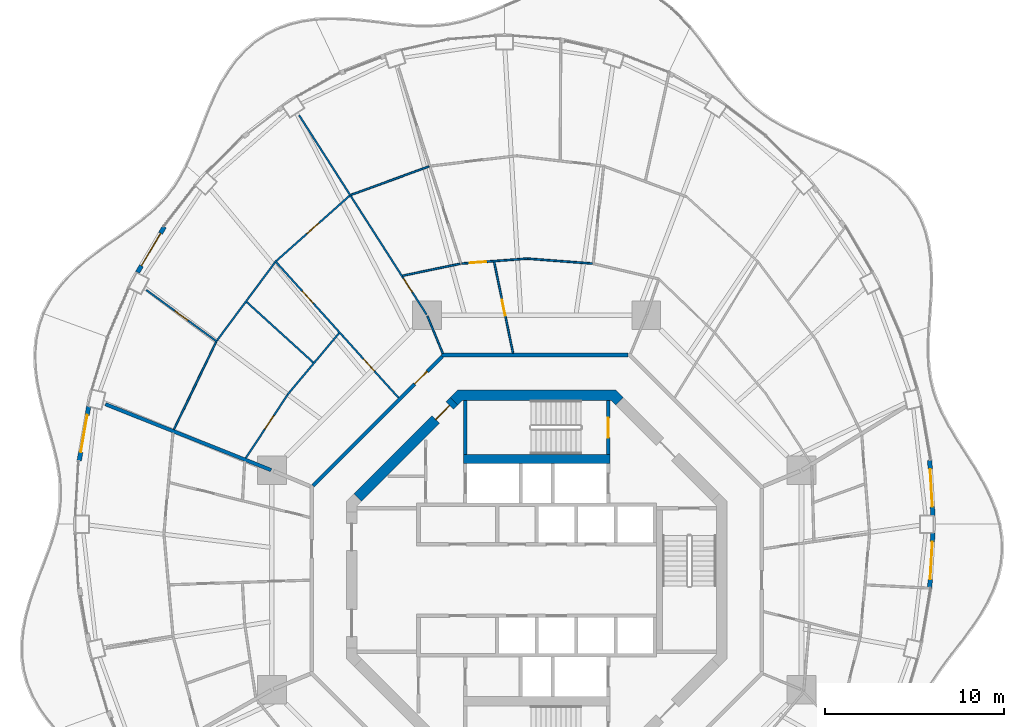
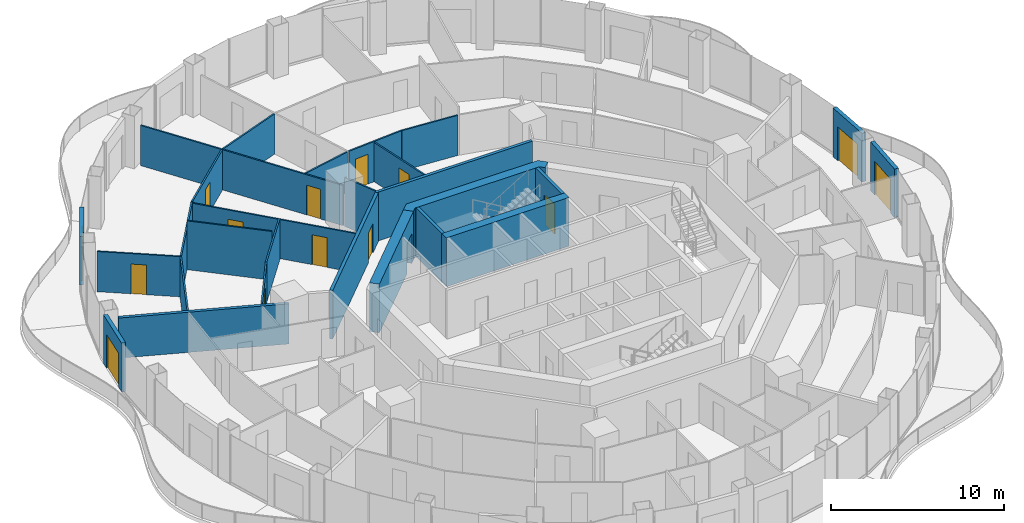
# One storey, part 13 of 18: 27 walls, 15 doors, 15 openings.
"""IFC4 building model written with IfcOpenShell, lengths in metres."""

from ifc_helpers import new_model, si_unit, direction, frame, frame_2d, origin, place, context, subcontext, project, spatial, polyline, rectangle, outline, extrude, material, layer, layer_set, type_object, element, fill, save


model = new_model("IFC4")

# Units and contexts
model_context = context("Model", 3, precision=1e-05, world=origin(), true_north=direction((0.0, 1.0)))
body_context = subcontext(model_context, "Body", "Model", "MODEL_VIEW")
ifc_project = project(units=[si_unit("LENGTHUNIT", "METRE"), si_unit("AREAUNIT", "SQUARE_METRE"), si_unit("VOLUMEUNIT", "CUBIC_METRE"), si_unit("PLANEANGLEUNIT", "RADIAN"), si_unit("MASSUNIT", "GRAM", prefix="KILO")], contexts=[model_context])

# Site, building, storey
site_placement = place(None, origin())
site = spatial("IfcSite", under=ifc_project, at=site_placement, CompositionType="ELEMENT")
building_placement = place(site_placement, origin())
building = spatial("IfcBuilding", under=site, at=building_placement, Name="Nagisa Residences", CompositionType="ELEMENT")
storey_placement = place(building_placement, frame((0.0, 0.0, 219.60009765625)))
storey = spatial("IfcBuildingStorey", under=building, at=storey_placement, Name="L55", CompositionType="ELEMENT", Elevation=219.60009765625)

# Walls
ifc_material_1 = material(Name="Gypsum board on steel studs", Category="steel")
ifc_layer_1 = layer(ifc_material_1, 0.199951171875)
ifc_layer_set_1 = layer_set([ifc_layer_1], Name="Apartment compartment wall EI60 200")
wall_type_1 = type_object("IfcWallType", Name="Apartment compartment wall EI60 200", PredefinedType="PARTITIONING", material=ifc_layer_set_1)
wall_1_placement = place(storey_placement, frame((-14.82861328125, 6.141357421875, 0.0), z_axis=(0.0, 0.0, 1.0), x_axis=(-0.929202069098, 0.36957206981, 0.0)))
element("IfcWall", 1, at=wall_1_placement, inside=storey, type_object=wall_type_1, Name="wall:L55:u03", PredefinedType="PARTITIONING", context=body_context, shape_type="SweptSolid", body=[
    extrude(rectangle(XDim=9.95654296875, YDim=0.199951171875, at=frame_2d((4.978271484375, 0.0))), origin(), (0.0, 0.0, 1.0), 2.8369140625),
])
ifc_material_2 = material(Name="Gypsum board on steel studs", Category="steel")
ifc_layer_2 = layer(ifc_material_2, 0.199951171875)
ifc_layer_set_2 = layer_set([ifc_layer_2], Name="Apartment entry wall EI60 200")
wall_type_2 = type_object("IfcWallType", Name="Apartment entry wall EI60 200", PredefinedType="PARTITIONING", material=ifc_layer_set_2)
wall_2_placement = place(storey_placement, frame((5.1044921875, 12.564697265625, 0.0), z_axis=(0.0, 0.0, 1.0), x_axis=(-1.0, 0.0, 0.0)))
element("IfcWall", 2, at=wall_2_placement, inside=storey, type_object=wall_type_2, Name="wall:L55:u10", PredefinedType="PARTITIONING", context=body_context, shape_type="SweptSolid", body=[
    extrude(rectangle(XDim=10.408935546875, YDim=0.199951171875, at=frame_2d((5.20458984375, 0.0))), origin(), (0.0, 0.0, 1.0), 3.43994140625),
])

# Wall, opening, door
wall_3_placement = place(storey_placement, frame((-5.275146484375, 12.494140625, 0.0), z_axis=(0.0, 0.0, 1.0), x_axis=(-0.707106781187, -0.707106781187, 0.0)))
wall_3 = element("IfcWall", 3, at=wall_3_placement, inside=storey, type_object=wall_type_2, Name="wall:L55:u11", PredefinedType="PARTITIONING", context=body_context, shape_type="SweptSolid", body=[
    extrude(rectangle(XDim=10.209228515625, YDim=0.199951171875, at=frame_2d((5.1044921875, 0.0))), origin(), (0.0, 0.0, 1.0), 3.43994140625),
])
opening_1_placement = place(wall_3_placement, frame((1.184814453125, 0.0, 0.0)))
opening_1 = element("IfcOpeningElement", 4, at=opening_1_placement, cuts=wall_3, Name="Opening L55-U01", PredefinedType="OPENING", context=body_context, shape_type="SweptSolid", body=[
    extrude(rectangle(XDim=1.0, YDim=2.10009765625, at=frame_2d((0.5, 1.050048828125))), frame((0.0, 0.10986328125, 0.0), z_axis=(0.0, -1.0, 0.0), x_axis=(1.0, 0.0, 0.0)), (0.0, 0.0, 1.0), 0.219970703125),
])
ifc_material_3 = material(Name="Timber fire door set", Category="wood")
door_type_1 = type_object("IfcDoorType", Name="Apartment entry door FD30S 1000x2100", OperationType="NOTDEFINED", PredefinedType="DOOR", material=ifc_material_3)
door_1_placement = place(opening_1_placement, frame((1.0, 0.0, 0.0), x_axis=(-1.0, 0.0, 0.0)))
door_1 = element("IfcDoor", 5, at=door_1_placement, inside=storey, type_object=door_type_1, Name="Entry door, Apartment 55A", OperationType="SINGLE_SWING_RIGHT", OverallHeight=2.10009765625, OverallWidth=1.0, PredefinedType="DOOR", context=body_context, shape_type="SweptSolid", body=[
    extrude(rectangle(XDim=1.0, YDim=2.10009765625, at=frame_2d((0.5, 1.050048828125))), frame((0.0, 0.02490234375, 0.0), z_axis=(0.0, -1.0, 0.0), x_axis=(1.0, 0.0, 0.0)), (0.0, 0.0, 1.0), 0.050048828125),
])
fill(opening_1, door_1)

# Wall
ifc_material_4 = material(Name="Gypsum board on steel studs", Category="steel")
ifc_layer_3 = layer(ifc_material_4, 0.10009765625)
ifc_layer_set_3 = layer_set([ifc_layer_3], Name="Apartment partition 100")
wall_type_3 = type_object("IfcWallType", Name="Apartment partition 100", PredefinedType="PARTITIONING", material=ifc_layer_set_3)
wall_4_placement = place(storey_placement, frame((3.1005859375, 17.67138671875, 0.0), z_axis=(0.0, 0.0, 1.0), x_axis=(-0.997133705575, 0.075659587668, 0.0)))
element("IfcWall", 6, at=wall_4_placement, inside=storey, type_object=wall_type_3, Name="wall:L55:u35", PredefinedType="PARTITIONING", context=body_context, shape_type="SweptSolid", body=[
    extrude(rectangle(XDim=3.60107421875, YDim=0.10009765625, at=frame_2d((1.800537109375, 0.0))), origin(), (0.0, 0.0, 1.0), 2.8369140625),
])

# Wall, opening, door
wall_5_placement = place(storey_placement, frame((-0.490234375, 17.951416015625, 0.0), z_axis=(0.0, 0.0, 1.0), x_axis=(-0.997133495787, -0.075662352452, 0.0)))
wall_5 = element("IfcWall", 7, at=wall_5_placement, inside=storey, type_object=wall_type_3, Name="wall:L55:u38", PredefinedType="PARTITIONING", context=body_context, shape_type="SweptSolid", body=[
    extrude(rectangle(XDim=3.700927734375, YDim=0.10009765625, at=frame_2d((1.8505859375, 0.0))), origin(), (0.0, 0.0, 1.0), 2.8369140625),
])
opening_2_placement = place(wall_5_placement, frame((2.350830078125, 0.0, 0.0)))
opening_2 = element("IfcOpeningElement", 8, at=opening_2_placement, cuts=wall_5, Name="Opening L55-U04", PredefinedType="OPENING", context=body_context, shape_type="SweptSolid", body=[
    extrude(rectangle(XDim=0.89990234375, YDim=2.10009765625, at=frame_2d((0.449951171875, 1.050048828125))), frame((0.0, 0.06005859375, 0.0), z_axis=(0.0, -1.0, 0.0), x_axis=(1.0, 0.0, 0.0)), (0.0, 0.0, 1.0), 0.1201171875),
])
ifc_material_5 = material(Name="Timber door set", Category="wood")
door_type_2 = type_object("IfcDoorType", Name="Apartment door 900x2100", OperationType="NOTDEFINED", PredefinedType="DOOR", material=ifc_material_5)
door_2_placement = place(opening_2_placement, frame((0.89990234375, 0.0, 0.0), x_axis=(-1.0, 0.0, 0.0)))
door_2 = element("IfcDoor", 9, at=door_2_placement, inside=storey, type_object=door_type_2, Name="Door to family room, Apartment 55A", OperationType="SINGLE_SWING_LEFT", OverallHeight=2.10009765625, OverallWidth=0.89990234375, PredefinedType="DOOR", context=body_context, shape_type="SweptSolid", body=[
    extrude(rectangle(XDim=0.89990234375, YDim=2.10009765625, at=frame_2d((0.449951171875, 1.050048828125))), frame((0.0, 0.02490234375, 0.0), z_axis=(0.0, -1.0, 0.0), x_axis=(1.0, 0.0, 0.0)), (0.0, 0.0, 1.0), 0.050048828125),
])
fill(opening_2, door_2)

wall_6_placement = place(storey_placement, frame((-1.3212890625, 12.66259765625, 0.0), z_axis=(0.0, 0.0, 1.0), x_axis=(-0.202526486639, 0.979276785291, 0.0)))
wall_6 = element("IfcWall", 10, at=wall_6_placement, inside=storey, type_object=wall_type_3, Name="wall:L55:u40", PredefinedType="PARTITIONING", context=body_context, shape_type="SweptSolid", body=[
    extrude(rectangle(XDim=5.2041015625, YDim=0.10009765625, at=frame_2d((2.60205078125, 0.0))), origin(), (0.0, 0.0, 1.0), 2.761962890625),
])
opening_3_placement = place(wall_6_placement, frame((2.15185546875, 0.0, 0.0)))
opening_3 = element("IfcOpeningElement", 11, at=opening_3_placement, cuts=wall_6, Name="Opening L55-U13", PredefinedType="OPENING", context=body_context, shape_type="SweptSolid", body=[
    extrude(rectangle(XDim=0.89990234375, YDim=2.10009765625, at=frame_2d((0.449951171875, 1.050048828125))), frame((0.0, 0.06005859375, 0.0), z_axis=(0.0, -1.0, 0.0), x_axis=(1.0, 0.0, 0.0)), (0.0, 0.0, 1.0), 0.1201171875),
])
door_3_placement = place(opening_3_placement, frame((0.89990234375, 0.0, 0.0), x_axis=(-1.0, 0.0, 0.0)))
door_3 = element("IfcDoor", 12, at=door_3_placement, inside=storey, type_object=door_type_2, Name="Door to store, Apartment 55A", OperationType="SINGLE_SWING_RIGHT", OverallHeight=2.10009765625, OverallWidth=0.89990234375, PredefinedType="DOOR", context=body_context, shape_type="SweptSolid", body=[
    extrude(rectangle(XDim=0.89990234375, YDim=2.10009765625, at=frame_2d((0.449951171875, 1.050048828125))), frame((0.0, 0.02490234375, 0.0), z_axis=(0.0, -1.0, 0.0), x_axis=(1.0, 0.0, 0.0)), (0.0, 0.0, 1.0), 0.050048828125),
])
fill(opening_3, door_3)

# Walls
wall_7_placement = place(storey_placement, frame((-4.279541015625, 17.657470703125, 0.0), z_axis=(0.0, 0.0, 1.0), x_axis=(-0.979205232861, -0.202872156637, 0.0)))
element("IfcWall", 13, at=wall_7_placement, inside=storey, type_object=wall_type_3, Name="wall:L55:u42", PredefinedType="PARTITIONING", context=body_context, shape_type="SweptSolid", body=[
    extrude(rectangle(XDim=3.27099609375, YDim=0.10009765625, at=frame_2d((1.635498046875, 0.0))), origin(), (0.0, 0.0, 1.0), 2.8369140625),
])
wall_8_placement = place(storey_placement, frame((-6.01416015625, 23.093505859375, 0.0), z_axis=(0.0, 0.0, 1.0), x_axis=(-0.939417400947, -0.342775359089, 0.0)))
element("IfcWall", 14, at=wall_8_placement, inside=storey, type_object=wall_type_3, Name="wall:L55:u43", PredefinedType="PARTITIONING", context=body_context, shape_type="SweptSolid", body=[
    extrude(rectangle(XDim=4.632568359375, YDim=0.10009765625, at=frame_2d((2.31640625, 0.0))), origin(), (0.0, 0.0, 1.0), 2.8369140625),
])
wall_9_placement = place(storey_placement, frame((-5.24267578125, 12.6572265625, 0.0), z_axis=(0.0, 0.0, 1.0), x_axis=(-0.382757529444, 0.923848837015, 0.0)))
element("IfcWall", 15, at=wall_9_placement, inside=storey, type_object=wall_type_3, Name="wall:L55:u44", PredefinedType="PARTITIONING", context=body_context, shape_type="SweptSolid", body=[
    extrude(rectangle(XDim=2.249755859375, YDim=0.10009765625, at=frame_2d((1.125, 0.0))), origin(), (0.0, 0.0, 1.0), 3.43994140625),
])

# Wall, opening, door
wall_10_placement = place(storey_placement, frame((-6.14990234375, 14.82421875, 0.0), z_axis=(0.0, 0.0, 1.0), x_axis=(-0.538870687577, 0.842388498301, 0.0)))
wall_10 = element("IfcWall", 16, at=wall_10_placement, inside=storey, type_object=wall_type_3, Name="wall:L55:u45", PredefinedType="PARTITIONING", context=body_context, shape_type="SweptSolid", body=[
    extrude(rectangle(XDim=13.212646484375, YDim=0.10009765625, at=frame_2d((6.6064453125, 0.0))), origin(), (0.0, 0.0, 1.0), 2.8369140625),
])
opening_4_placement = place(wall_10_placement, frame((1.4833984375, 0.0, 0.0)))
opening_4 = element("IfcOpeningElement", 17, at=opening_4_placement, cuts=wall_10, Name="Opening L55-U02", PredefinedType="OPENING", context=body_context, shape_type="SweptSolid", body=[
    extrude(rectangle(XDim=0.89990234375, YDim=2.10009765625, at=frame_2d((0.449951171875, 1.050048828125))), frame((0.0, 0.06005859375, 0.0), z_axis=(0.0, -1.0, 0.0), x_axis=(1.0, 0.0, 0.0)), (0.0, 0.0, 1.0), 0.1201171875),
])
door_4_placement = place(opening_4_placement, frame((0.89990234375, 0.0, 0.0), x_axis=(-1.0, 0.0, 0.0)))
door_4 = element("IfcDoor", 18, at=door_4_placement, inside=storey, type_object=door_type_2, Name="Door to laundry, Apartment 55A", OperationType="SINGLE_SWING_LEFT", OverallHeight=2.10009765625, OverallWidth=0.89990234375, PredefinedType="DOOR", context=body_context, shape_type="SweptSolid", body=[
    extrude(rectangle(XDim=0.89990234375, YDim=2.10009765625, at=frame_2d((0.449951171875, 1.050048828125))), frame((0.0, 0.02490234375, 0.0), z_axis=(0.0, -1.0, 0.0), x_axis=(1.0, 0.0, 0.0)), (0.0, 0.0, 1.0), 0.050048828125),
])
fill(opening_4, door_4)

wall_11_placement = place(storey_placement, frame((-10.450439453125, 21.455322265625, 0.0), z_axis=(0.0, 0.0, 1.0), x_axis=(-0.747150931973, -0.66465441009, 0.0)))
wall_11 = element("IfcWall", 19, at=wall_11_placement, inside=storey, type_object=wall_type_3, Name="wall:L55:u46", PredefinedType="PARTITIONING", context=body_context, shape_type="SweptSolid", body=[
    extrude(rectangle(XDim=5.474853515625, YDim=0.10009765625, at=frame_2d((2.7373046875, 0.0))), origin(), (0.0, 0.0, 1.0), 2.8369140625),
])
opening_5_placement = place(wall_11_placement, frame((2.28759765625, 0.0, 0.0)))
opening_5 = element("IfcOpeningElement", 20, at=opening_5_placement, cuts=wall_11, Name="Opening L55-U11", PredefinedType="OPENING", context=body_context, shape_type="SweptSolid", body=[
    extrude(rectangle(XDim=0.89990234375, YDim=2.10009765625, at=frame_2d((0.449951171875, 1.050048828125))), frame((0.0, 0.06005859375, 0.0), z_axis=(0.0, -1.0, 0.0), x_axis=(1.0, 0.0, 0.0)), (0.0, 0.0, 1.0), 0.1201171875),
])
door_5_placement = place(opening_5_placement, frame((0.89990234375, 0.0, 0.0), x_axis=(-1.0, 0.0, 0.0)))
door_5 = element("IfcDoor", 21, at=door_5_placement, inside=storey, type_object=door_type_2, Name="Door to living room, Apartment 55A", OperationType="SINGLE_SWING_RIGHT", OverallHeight=2.10009765625, OverallWidth=0.89990234375, PredefinedType="DOOR", context=body_context, shape_type="SweptSolid", body=[
    extrude(rectangle(XDim=0.89990234375, YDim=2.10009765625, at=frame_2d((0.449951171875, 1.050048828125))), frame((0.0, 0.02490234375, 0.0), z_axis=(0.0, -1.0, 0.0), x_axis=(1.0, 0.0, 0.0)), (0.0, 0.0, 1.0), 0.050048828125),
])
fill(opening_5, door_5)

# Wall, openings, doors
wall_12_placement = place(storey_placement, frame((-7.724853515625, 10.185546875, 0.0), z_axis=(0.0, 0.0, 1.0), x_axis=(-0.669819599194, 0.742523874725, 0.0)))
wall_12 = element("IfcWall", 22, at=wall_12_placement, inside=storey, type_object=wall_type_3, Name="wall:L55:u47", PredefinedType="PARTITIONING", context=body_context, shape_type="SweptSolid", body=[
    extrude(rectangle(XDim=10.2822265625, YDim=0.10009765625, at=frame_2d((5.14111328125, 0.0))), origin(), (0.0, 0.0, 1.0), 2.761962890625),
])
opening_6_placement = place(wall_12_placement, frame((1.999755859375, 0.0, 0.0)))
opening_6 = element("IfcOpeningElement", 23, at=opening_6_placement, cuts=wall_12, Name="Opening L55-U03", PredefinedType="OPENING", context=body_context, shape_type="SweptSolid", body=[
    extrude(rectangle(XDim=0.89990234375, YDim=2.10009765625, at=frame_2d((0.449951171875, 1.050048828125))), frame((0.0, 0.06005859375, 0.0), z_axis=(0.0, -1.0, 0.0), x_axis=(1.0, 0.0, 0.0)), (0.0, 0.0, 1.0), 0.1201171875),
])
opening_7_placement = place(wall_12_placement, frame((7.11572265625, 0.0, 0.0)))
opening_7 = element("IfcOpeningElement", 24, at=opening_7_placement, cuts=wall_12, Name="Opening L55-U06", PredefinedType="OPENING", context=body_context, shape_type="SweptSolid", body=[
    extrude(rectangle(XDim=0.89990234375, YDim=2.10009765625, at=frame_2d((0.449951171875, 1.050048828125))), frame((0.0, 0.06005859375, 0.0), z_axis=(0.0, -1.0, 0.0), x_axis=(1.0, 0.0, 0.0)), (0.0, 0.0, 1.0), 0.1201171875),
])
door_6_placement = place(opening_6_placement, origin())
door_6 = element("IfcDoor", 25, at=door_6_placement, inside=storey, type_object=door_type_2, Name="Door to store, Apartment 55A", OperationType="SINGLE_SWING_LEFT", OverallHeight=2.10009765625, OverallWidth=0.89990234375, PredefinedType="DOOR", context=body_context, shape_type="SweptSolid", body=[
    extrude(rectangle(XDim=0.89990234375, YDim=2.10009765625, at=frame_2d((0.449951171875, 1.050048828125))), frame((0.0, 0.02490234375, 0.0), z_axis=(0.0, -1.0, 0.0), x_axis=(1.0, 0.0, 0.0)), (0.0, 0.0, 1.0), 0.050048828125),
])
fill(opening_6, door_6)
door_7_placement = place(opening_7_placement, origin())
door_7 = element("IfcDoor", 26, at=door_7_placement, inside=storey, type_object=door_type_2, Name="Door to family bathroom, Apartment 55A", OperationType="SINGLE_SWING_RIGHT", OverallHeight=2.10009765625, OverallWidth=0.89990234375, PredefinedType="DOOR", context=body_context, shape_type="SweptSolid", body=[
    extrude(rectangle(XDim=0.89990234375, YDim=2.10009765625, at=frame_2d((0.449951171875, 1.050048828125))), frame((0.0, 0.02490234375, 0.0), z_axis=(0.0, -1.0, 0.0), x_axis=(1.0, 0.0, 0.0)), (0.0, 0.0, 1.0), 0.050048828125),
])
fill(opening_7, door_7)

# Walls
wall_13_placement = place(storey_placement, frame((-11.03857421875, 13.78515625, 0.0), z_axis=(0.0, 0.0, 1.0), x_axis=(-0.642254625966, -0.766491353784, 0.0)))
element("IfcWall", 27, at=wall_13_placement, inside=storey, type_object=wall_type_3, Name="wall:L55:u48", PredefinedType="PARTITIONING", context=body_context, shape_type="SweptSolid", body=[
    extrude(rectangle(XDim=4.4609375, YDim=0.10009765625, at=frame_2d((2.23046875, 0.0))), origin(), (0.0, 0.0, 1.0), 2.8369140625),
])
wall_14_placement = place(storey_placement, frame((-14.608154296875, 17.7431640625, 0.0), z_axis=(0.0, 0.0, 1.0), x_axis=(-0.596174489482, -0.8028548923, 0.0)))
element("IfcWall", 28, at=wall_14_placement, inside=storey, type_object=wall_type_3, Name="wall:L55:u49", PredefinedType="PARTITIONING", context=body_context, shape_type="SweptSolid", body=[
    extrude(rectangle(XDim=5.44189453125, YDim=0.10009765625, at=frame_2d((2.720947265625, 0.0))), origin(), (0.0, 0.0, 1.0), 2.8369140625),
])
wall_15_placement = place(storey_placement, frame((-12.47607421875, 12.1474609375, 0.0), z_axis=(0.0, 0.0, 1.0), x_axis=(-0.740129203525, 0.672464692077, 0.0)))
element("IfcWall", 29, at=wall_15_placement, inside=storey, type_object=wall_type_3, Name="wall:L55:u50", PredefinedType="PARTITIONING", context=body_context, shape_type="SweptSolid", body=[
    extrude(rectangle(XDim=5.0224609375, YDim=0.10009765625, at=frame_2d((2.51123046875, 0.0))), origin(), (0.0, 0.0, 1.0), 3.43994140625),
])

# Wall, opening, door
wall_16_placement = place(storey_placement, frame((-13.899169921875, 10.362548828125, 0.0), z_axis=(0.0, 0.0, 1.0), x_axis=(-0.551267958114, -0.834328255758, 0.0)))
wall_16 = element("IfcWall", 30, at=wall_16_placement, inside=storey, type_object=wall_type_3, Name="wall:L55:u51", PredefinedType="PARTITIONING", context=body_context, shape_type="SweptSolid", body=[
    extrude(rectangle(XDim=4.25732421875, YDim=0.10009765625, at=frame_2d((2.128662109375, 0.0))), origin(), (0.0, 0.0, 1.0), 2.8369140625),
])
opening_8_placement = place(wall_16_placement, frame((1.4130859375, 0.0, 0.0)))
opening_8 = element("IfcOpeningElement", 31, at=opening_8_placement, cuts=wall_16, Name="Opening L55-U07", PredefinedType="OPENING", context=body_context, shape_type="SweptSolid", body=[
    extrude(rectangle(XDim=0.89990234375, YDim=2.10009765625, at=frame_2d((0.449951171875, 1.050048828125))), frame((0.0, 0.06005859375, 0.0), z_axis=(0.0, -1.0, 0.0), x_axis=(1.0, 0.0, 0.0)), (0.0, 0.0, 1.0), 0.1201171875),
])
door_8_placement = place(opening_8_placement, frame((0.89990234375, 0.0, 0.0), x_axis=(-1.0, 0.0, 0.0)))
door_8 = element("IfcDoor", 32, at=door_8_placement, inside=storey, type_object=door_type_2, Name="Door to dining room, Apartment 55A", OperationType="SINGLE_SWING_RIGHT", OverallHeight=2.10009765625, OverallWidth=0.89990234375, PredefinedType="DOOR", context=body_context, shape_type="SweptSolid", body=[
    extrude(rectangle(XDim=0.89990234375, YDim=2.10009765625, at=frame_2d((0.449951171875, 1.050048828125))), frame((0.0, 0.02490234375, 0.0), z_axis=(0.0, -1.0, 0.0), x_axis=(1.0, 0.0, 0.0)), (0.0, 0.0, 1.0), 0.050048828125),
])
fill(opening_8, door_8)

wall_17_placement = place(storey_placement, frame((-17.842041015625, 13.304443359375, 0.0), z_axis=(0.0, 0.0, 1.0), x_axis=(-0.807541617862, 0.589810592835, 0.0)))
wall_17 = element("IfcWall", 33, at=wall_17_placement, inside=storey, type_object=wall_type_3, Name="wall:L55:u52", PredefinedType="PARTITIONING", context=body_context, shape_type="SweptSolid", body=[
    extrude(rectangle(XDim=4.9033203125, YDim=0.10009765625, at=frame_2d((2.45166015625, 0.0))), origin(), (0.0, 0.0, 1.0), 2.8369140625),
])
opening_9_placement = place(wall_17_placement, frame((2.02685546875, 0.0, 0.0)))
opening_9 = element("IfcOpeningElement", 34, at=opening_9_placement, cuts=wall_17, Name="Opening L55-U12", PredefinedType="OPENING", context=body_context, shape_type="SweptSolid", body=[
    extrude(rectangle(XDim=0.89990234375, YDim=2.10009765625, at=frame_2d((0.449951171875, 1.050048828125))), frame((0.0, 0.06005859375, 0.0), z_axis=(0.0, -1.0, 0.0), x_axis=(1.0, 0.0, 0.0)), (0.0, 0.0, 1.0), 0.1201171875),
])
door_9_placement = place(opening_9_placement, origin())
door_9 = element("IfcDoor", 35, at=door_9_placement, inside=storey, type_object=door_type_2, Name="Door to bedroom, Apartment 55A", OperationType="SINGLE_SWING_RIGHT", OverallHeight=2.10009765625, OverallWidth=0.89990234375, PredefinedType="DOOR", context=body_context, shape_type="SweptSolid", body=[
    extrude(rectangle(XDim=0.89990234375, YDim=2.10009765625, at=frame_2d((0.449951171875, 1.050048828125))), frame((0.0, 0.02490234375, 0.0), z_axis=(0.0, -1.0, 0.0), x_axis=(1.0, 0.0, 0.0)), (0.0, 0.0, 1.0), 0.050048828125),
])
fill(opening_9, door_9)

# Wall
wall_18_placement = place(storey_placement, frame((-17.904052734375, 13.288818359375, 0.0), z_axis=(0.0, 0.0, 1.0), x_axis=(-0.43429918566, -0.900768681369, 0.0)))
element("IfcWall", 36, at=wall_18_placement, inside=storey, type_object=wall_type_3, Name="wall:L55:u53", PredefinedType="PARTITIONING", context=body_context, shape_type="SweptSolid", body=[
    extrude(rectangle(XDim=5.41845703125, YDim=0.10009765625, at=frame_2d((2.709228515625, 0.0))), origin(), (0.0, 0.0, 1.0), 2.8369140625),
])

# Wall, opening, door
ifc_material_6 = material(Name="Precast concrete C40/50", Category="concrete")
ifc_layer_4 = layer(ifc_material_6, 0.25)
ifc_layer_set_4 = layer_set([ifc_layer_4], Name="BALCONY DOOR WALL 250")
wall_type_4 = type_object("IfcWallType", Name="BALCONY DOOR WALL 250", PredefinedType="SOLIDWALL", material=ifc_layer_set_4)
wall_19_placement = place(storey_placement, frame((21.939208984375, 6.685546875, 0.0), z_axis=(0.0, 0.0, 1.0), x_axis=(0.057528189427, -0.998343882348, 0.0)))
wall_19 = element("IfcWall", 37, at=wall_19_placement, inside=storey, type_object=wall_type_4, Name="wall:L55:bay00", PredefinedType="SOLIDWALL", context=body_context, shape_type="SweptSolid", body=[
    extrude(rectangle(XDim=3.0810546875, YDim=0.25, at=frame_2d((1.54052734375, 0.0))), origin(), (0.0, 0.0, 1.0), 3.43994140625),
])
opening_10_placement = place(wall_19_placement, frame((0.490478515625, 0.0, 0.0)))
opening_10 = element("IfcOpeningElement", 38, at=opening_10_placement, cuts=wall_19, Name="Opening BD-L55-01", PredefinedType="OPENING", context=body_context, shape_type="SweptSolid", body=[
    extrude(rectangle(XDim=2.10009765625, YDim=2.39990234375, at=frame_2d((1.050048828125, 1.199951171875))), frame((0.0, 0.135009765625, 0.0), z_axis=(0.0, -1.0, 0.0), x_axis=(1.0, 0.0, 0.0)), (0.0, 0.0, 1.0), 0.27001953125),
])
ifc_material_7 = material(Name="Aluminium and clear glass", Category="aluminium")
door_type_3 = type_object("IfcDoorType", Name="BALCONY SLIDING DOOR 2100x2400", OperationType="SLIDING_TO_LEFT", PredefinedType="DOOR", material=ifc_material_7)
door_10_placement = place(opening_10_placement, origin())
door_10 = element("IfcDoor", 39, at=door_10_placement, inside=storey, type_object=door_type_3, Name="door:L55:bay00", OperationType="SLIDING_TO_LEFT", OverallHeight=2.39990234375, OverallWidth=2.10009765625, PredefinedType="DOOR", context=body_context, shape_type="SweptSolid", body=[
    extrude(rectangle(XDim=2.10009765625, YDim=2.39990234375, at=frame_2d((1.050048828125, 1.199951171875))), frame((0.0, 0.02490234375, 0.0), z_axis=(0.0, -1.0, 0.0), x_axis=(1.0, 0.0, 0.0)), (0.0, 0.0, 1.0), 0.050048828125),
])
fill(opening_10, door_10)

wall_20_placement = place(storey_placement, frame((-22.2841796875, 17.1806640625, 0.0), z_axis=(0.0, 0.0, 1.0), x_axis=(0.506330171469, 0.862339699573, 0.0)))
wall_20 = element("IfcWall", 40, at=wall_20_placement, inside=storey, type_object=wall_type_4, Name="wall:L55:bay19", PredefinedType="SOLIDWALL", context=body_context, shape_type="SweptSolid", body=[
    extrude(rectangle(XDim=2.954345703125, YDim=0.25, at=frame_2d((1.47705078125, 0.0))), origin(), (0.0, 0.0, 1.0), 3.43994140625),
])
opening_11_placement = place(wall_20_placement, frame((0.42724609375, 0.0, 0.0)))
opening_11 = element("IfcOpeningElement", 41, at=opening_11_placement, cuts=wall_20, Name="Opening BD-L55-07", PredefinedType="OPENING", context=body_context, shape_type="SweptSolid", body=[
    extrude(rectangle(XDim=2.10009765625, YDim=2.39990234375, at=frame_2d((1.050048828125, 1.199951171875))), frame((0.0, 0.135009765625, 0.0), z_axis=(0.0, -1.0, 0.0), x_axis=(1.0, 0.0, 0.0)), (0.0, 0.0, 1.0), 0.27001953125),
])
door_11_placement = place(opening_11_placement, origin())
door_11 = element("IfcDoor", 42, at=door_11_placement, inside=storey, type_object=door_type_3, Name="door:L55:bay19", OperationType="SLIDING_TO_LEFT", OverallHeight=2.39990234375, OverallWidth=2.10009765625, PredefinedType="DOOR", context=body_context, shape_type="SweptSolid", body=[
    extrude(rectangle(XDim=2.10009765625, YDim=2.39990234375, at=frame_2d((1.050048828125, 1.199951171875))), frame((0.0, 0.02490234375, 0.0), z_axis=(0.0, -1.0, 0.0), x_axis=(1.0, 0.0, 0.0)), (0.0, 0.0, 1.0), 0.050048828125),
])
fill(opening_11, door_11)

wall_21_placement = place(storey_placement, frame((-25.541015625, 6.67138671875, 0.0), z_axis=(0.0, 0.0, 1.0), x_axis=(0.172254823677, 0.985052422828, 0.0)))
wall_21 = element("IfcWall", 43, at=wall_21_placement, inside=storey, type_object=wall_type_4, Name="wall:L55:bay22", PredefinedType="SOLIDWALL", context=body_context, shape_type="SweptSolid", body=[
    extrude(rectangle(XDim=3.067138671875, YDim=0.25, at=frame_2d((1.53369140625, 0.0))), origin(), (0.0, 0.0, 1.0), 3.43994140625),
])
opening_12_placement = place(wall_21_placement, frame((0.483642578125, 0.0, 0.0)))
opening_12 = element("IfcOpeningElement", 44, at=opening_12_placement, cuts=wall_21, Name="Opening BD-L55-08", PredefinedType="OPENING", context=body_context, shape_type="SweptSolid", body=[
    extrude(rectangle(XDim=2.10009765625, YDim=2.39990234375, at=frame_2d((1.050048828125, 1.199951171875))), frame((0.0, 0.135009765625, 0.0), z_axis=(0.0, -1.0, 0.0), x_axis=(1.0, 0.0, 0.0)), (0.0, 0.0, 1.0), 0.27001953125),
])
door_12_placement = place(opening_12_placement, origin())
door_12 = element("IfcDoor", 45, at=door_12_placement, inside=storey, type_object=door_type_3, Name="door:L55:bay22", OperationType="SLIDING_TO_LEFT", OverallHeight=2.39990234375, OverallWidth=2.10009765625, PredefinedType="DOOR", context=body_context, shape_type="SweptSolid", body=[
    extrude(rectangle(XDim=2.10009765625, YDim=2.39990234375, at=frame_2d((1.050048828125, 1.199951171875))), frame((0.0, 0.02490234375, 0.0), z_axis=(0.0, -1.0, 0.0), x_axis=(1.0, 0.0, 0.0)), (0.0, 0.0, 1.0), 0.050048828125),
])
fill(opening_12, door_12)

wall_22_placement = place(storey_placement, frame((22.116455078125, 2.625732421875, 0.0), z_axis=(0.0, 0.0, 1.0), x_axis=(-0.057528189427, -0.998343882348, 0.0)))
wall_22 = element("IfcWall", 46, at=wall_22_placement, inside=storey, type_object=wall_type_4, Name="wall:L55:bay47", PredefinedType="SOLIDWALL", context=body_context, shape_type="SweptSolid", body=[
    extrude(rectangle(XDim=3.0810546875, YDim=0.25, at=frame_2d((1.54052734375, 0.0))), origin(), (0.0, 0.0, 1.0), 3.43994140625),
])
opening_13_placement = place(wall_22_placement, frame((0.490478515625, 0.0, 0.0)))
opening_13 = element("IfcOpeningElement", 47, at=opening_13_placement, cuts=wall_22, Name="Opening BD-L55-16", PredefinedType="OPENING", context=body_context, shape_type="SweptSolid", body=[
    extrude(rectangle(XDim=2.10009765625, YDim=2.39990234375, at=frame_2d((1.050048828125, 1.199951171875))), frame((0.0, 0.135009765625, 0.0), z_axis=(0.0, -1.0, 0.0), x_axis=(1.0, 0.0, 0.0)), (0.0, 0.0, 1.0), 0.27001953125),
])
door_13_placement = place(opening_13_placement, origin())
door_13 = element("IfcDoor", 48, at=door_13_placement, inside=storey, type_object=door_type_3, Name="door:L55:bay47", OperationType="SLIDING_TO_LEFT", OverallHeight=2.39990234375, OverallWidth=2.10009765625, PredefinedType="DOOR", context=body_context, shape_type="SweptSolid", body=[
    extrude(rectangle(XDim=2.10009765625, YDim=2.39990234375, at=frame_2d((1.050048828125, 1.199951171875))), frame((0.0, 0.02490234375, 0.0), z_axis=(0.0, -1.0, 0.0), x_axis=(1.0, 0.0, 0.0)), (0.0, 0.0, 1.0), 0.050048828125),
])
fill(opening_13, door_13)

ifc_material_8 = material(Name="Concrete C60", Category="concrete")
ifc_layer_5 = layer(ifc_material_8, 0.60009765625)
ifc_layer_set_5 = layer_set([ifc_layer_5], Name="Core shear wall 600")
wall_type_5 = type_object("IfcWallType", Name="Core shear wall 600", PredefinedType="SHEAR", material=ifc_layer_set_5)
wall_23_placement = place(storey_placement, frame((-4.613037109375, 9.98828125, 0.0), z_axis=(0.0, 0.0, 1.0), x_axis=(-0.707106781187, -0.707106781187, 0.0)))
wall_23 = element("IfcWall", 49, at=wall_23_placement, inside=storey, type_object=wall_type_5, Name="wall:L55:core:flat3", PredefinedType="SHEAR", context=body_context, shape_type="SweptSolid", body=[
    extrude(rectangle(XDim=7.601806640625, YDim=0.60009765625, at=frame_2d((3.80078125, 0.0))), origin(), (0.0, 0.0, 1.0), 3.43994140625),
])
opening_14_placement = place(wall_23_placement, frame((0.350830078125, 0.0, 0.0)))
opening_14 = element("IfcOpeningElement", 50, at=opening_14_placement, cuts=wall_23, Name="Opening L55-C22", PredefinedType="OPENING", context=body_context, shape_type="SweptSolid", body=[
    extrude(rectangle(XDim=1.10009765625, YDim=2.10009765625, at=frame_2d((0.550048828125, 1.050048828125))), frame((0.0, 0.31005859375, 0.0), z_axis=(0.0, -1.0, 0.0), x_axis=(1.0, 0.0, 0.0)), (0.0, 0.0, 1.0), 0.6201171875),
])
ifc_material_9 = material(Name="Steel fire door", Category="steel")
door_type_4 = type_object("IfcDoorType", Name="Fire door EI60 1100x2100 single swing", OperationType="NOTDEFINED", PredefinedType="DOOR", material=ifc_material_9)
door_14_placement = place(opening_14_placement, origin())
door_14 = element("IfcDoor", 51, at=door_14_placement, inside=storey, type_object=door_type_4, Name="Service lobby door L55", OperationType="SINGLE_SWING_RIGHT", OverallHeight=2.10009765625, OverallWidth=1.10009765625, PredefinedType="DOOR", context=body_context, shape_type="SweptSolid", body=[
    extrude(rectangle(XDim=1.10009765625, YDim=2.10009765625, at=frame_2d((0.550048828125, 1.050048828125))), frame((0.0, 0.02490234375, 0.0), z_axis=(0.0, -1.0, 0.0), x_axis=(1.0, 0.0, 0.0)), (0.0, 0.0, 1.0), 0.050048828125),
])
fill(opening_14, door_14)

# Wall
wall_24_placement = place(storey_placement, origin())
element("IfcWall", 52, at=wall_24_placement, inside=storey, type_object=wall_type_5, Name="wall:L55:core:flat2", PredefinedType="SHEAR", context=body_context, shape_type="SweptSolid", body=[
    extrude(outline(polyline([(-4.15234375, 10.024658203125), (-4.40087890625, 9.776123046875), (-4.8251953125, 10.200439453125), (-4.40087890625, 10.62451171875), (4.40087890625, 10.62451171875), (4.8251953125, 10.200439453125), (4.40087890625, 9.776123046875), (4.15234375, 10.024658203125), (-4.15234375, 10.024658203125)])), origin(), (0.0, 0.0, 1.0), 3.43994140625),
])

# Wall, opening, door
ifc_material_10 = material(Name="Concrete C60", Category="concrete")
ifc_layer_6 = layer(ifc_material_10, 0.199951171875)
ifc_layer_set_6 = layer_set([ifc_layer_6], Name="Stair enclosure wall 200")
wall_type_6 = type_object("IfcWallType", Name="Stair enclosure wall 200", PredefinedType="SOLIDWALL", material=ifc_layer_set_6)
wall_25_placement = place(storey_placement, frame((4.0, 7.024658203125, 0.0), z_axis=(0.0, 0.0, 1.0), x_axis=(0.0, 1.0, 0.0)))
wall_25 = element("IfcWall", 53, at=wall_25_placement, inside=storey, type_object=wall_type_6, Name="wall:L55:SN_e", PredefinedType="SOLIDWALL", context=body_context, shape_type="SweptSolid", body=[
    extrude(rectangle(XDim=3.0, YDim=0.199951171875, at=frame_2d((1.5, 0.0))), origin(), (0.0, 0.0, 1.0), 3.43994140625),
])
opening_15_placement = place(wall_25_placement, frame((0.92529296875, 0.0, 0.0)))
opening_15 = element("IfcOpeningElement", 54, at=opening_15_placement, cuts=wall_25, Name="Opening L55-C09", PredefinedType="OPENING", context=body_context, shape_type="SweptSolid", body=[
    extrude(rectangle(XDim=1.10009765625, YDim=2.10009765625, at=frame_2d((0.550048828125, 1.050048828125))), frame((0.0, 0.10986328125, 0.0), z_axis=(0.0, -1.0, 0.0), x_axis=(1.0, 0.0, 0.0)), (0.0, 0.0, 1.0), 0.219970703125),
])
ifc_material_11 = material(Name="Steel fire door", Category="steel")
door_type_5 = type_object("IfcDoorType", Name="Fire door EI90 1100x2100 single swing", OperationType="NOTDEFINED", PredefinedType="DOOR", material=ifc_material_11)
door_15_placement = place(opening_15_placement, origin())
door_15 = element("IfcDoor", 55, at=door_15_placement, inside=storey, type_object=door_type_5, Name="Stair door ST-N L55", OperationType="SINGLE_SWING_LEFT", OverallHeight=2.10009765625, OverallWidth=1.10009765625, PredefinedType="DOOR", context=body_context, shape_type="SweptSolid", body=[
    extrude(rectangle(XDim=1.10009765625, YDim=2.10009765625, at=frame_2d((0.550048828125, 1.050048828125))), frame((0.0, 0.02490234375, 0.0), z_axis=(0.0, -1.0, 0.0), x_axis=(1.0, 0.0, 0.0)), (0.0, 0.0, 1.0), 0.050048828125),
])
fill(opening_15, door_15)

# Walls
wall_26_placement = place(storey_placement, origin())
element("IfcWall", 56, at=wall_26_placement, inside=storey, type_object=wall_type_6, Name="wall:L55:SN_w", PredefinedType="SOLIDWALL", context=body_context, shape_type="SweptSolid", body=[
    extrude(outline(polyline([(-3.89990234375, 7.024658203125), (-4.10009765625, 7.024658203125), (-4.10009765625, 10.024658203125), (-3.89990234375, 10.024658203125), (-3.89990234375, 7.024658203125)])), origin(), (0.0, 0.0, 1.0), 3.43994140625),
])
wall_27_placement = place(storey_placement, origin())
element("IfcWall", 57, at=wall_27_placement, inside=storey, type_object=wall_type_6, Name="wall:L55:SN_s", PredefinedType="SOLIDWALL", context=body_context, shape_type="SweptSolid", body=[
    extrude(outline(polyline([(4.10009765625, 6.5), (-4.10009765625, 6.5), (-4.10009765625, 7.024658203125), (4.10009765625, 7.024658203125), (4.10009765625, 6.5)])), origin(), (0.0, 0.0, 1.0), 3.43994140625),
])

save(model, "model.ifc")
